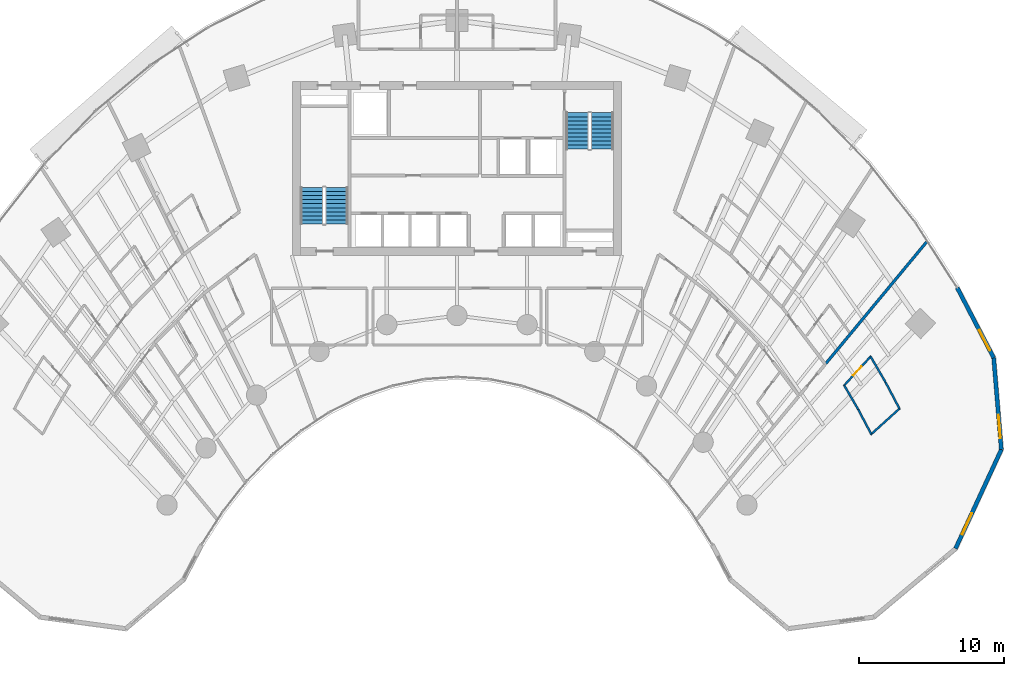
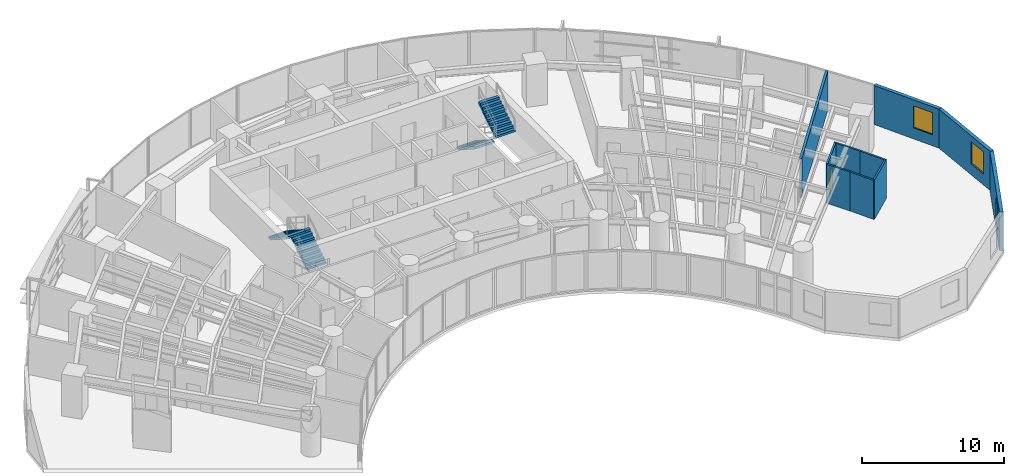
# One storey, part 15 of 18: 10 walls, 4 stair flights, 3 windows, 1 door, 4 openings, 2 elements without a shape of their own.
"""IFC4 building model written with IfcOpenShell, lengths in metres."""

from ifc_helpers import new_model, si_unit, direction, frame, frame_2d, origin, place, context, subcontext, project, spatial, polyline, rectangle, outline, extrude, source, transform, mapped, material, layer, layer_set, type_object, type_shapes, element, fill, aggregate, save


model = new_model("IFC4")

# Units and contexts
model_context = context("Model", 3, precision=1e-05, world=origin(), true_north=direction((0.0, 1.0)))
body_context = subcontext(model_context, "Body", "Model", "MODEL_VIEW")
ifc_project = project(units=[si_unit("LENGTHUNIT", "METRE"), si_unit("AREAUNIT", "SQUARE_METRE"), si_unit("VOLUMEUNIT", "CUBIC_METRE"), si_unit("PLANEANGLEUNIT", "RADIAN"), si_unit("MASSUNIT", "GRAM", prefix="KILO")], contexts=[model_context])

# Site, building, storey
site_placement = place(None, origin())
site = spatial("IfcSite", under=ifc_project, at=site_placement, CompositionType="ELEMENT")
building_placement = place(site_placement, origin())
building = spatial("IfcBuilding", under=site, at=building_placement, Name="Breltana Convention Tower", CompositionType="ELEMENT")
storey_placement = place(building_placement, frame((0.0, 0.0, 35.39990234375)))
storey = spatial("IfcBuildingStorey", under=building, at=storey_placement, Name="L06", CompositionType="ELEMENT", Elevation=35.39990234375)

# Wall, opening, window
ifc_material_1 = material(Name="Limestone Buff Insulated Wall", Category="masonry")
ifc_layer_1 = layer(ifc_material_1, 0.280029296875, Name="Limestone Buff Insulated Wall")
ifc_layer_set_1 = layer_set([ifc_layer_1], Name="Limestone Buff Insulated Wall")
wall_type_1 = type_object("IfcWallType", Name="WL-EXT-NOSE-280", PredefinedType="SOLIDWALL", material=ifc_layer_set_1)
shared_shape_1 = source(origin(), body_context, "Body", "SweptSolid", [
    extrude(rectangle(XDim=6.3525390625, YDim=0.280029296875, at=frame_2d((3.17626953125, 0.0))), origin(), (0.0, 0.0, 1.0), 3.360107421875),
])
wall_1_placement = place(storey_placement, frame((85.052978515625, 53.1220703125, 0.0), z_axis=(0.0, 0.0, 1.0), x_axis=(0.083319001377, -0.996522926986, 0.0)))
wall_1 = element("IfcWall", 1, at=wall_1_placement, inside=storey, type_object=wall_type_1, Name="L06 curved limestone nose wall E1", PredefinedType="SOLIDWALL", context=body_context, shape_type="MappedRepresentation", body=[
    mapped(shared_shape_1, transform((0.0, 0.0, 0.0), scale=1.0)),
])
opening_1_placement = place(wall_1_placement, frame((3.96435546875, 0.0, 0.949951171875)))
opening_1 = element("IfcOpeningElement", 2, at=opening_1_placement, cuts=wall_1, Name="Opening W-04", PredefinedType="OPENING", context=body_context, shape_type="SweptSolid", body=[
    extrude(rectangle(XDim=1.60009765625, YDim=1.89990234375, at=frame_2d((0.800048828125, 0.949951171875))), frame((0.0, 0.14990234375, 0.0), z_axis=(0.0, -1.0, 0.0), x_axis=(1.0, 0.0, 0.0)), (0.0, 0.0, 1.0), 0.300048828125),
])
ifc_material_2 = material(Name="Glass Low-E Insulated Window", Category="glass")
window_type = type_object("IfcWindowType", Name="WN-NOSE-1600X1900", PartitioningType="SINGLE_PANEL", PredefinedType="WINDOW", material=ifc_material_2)
shared_shape_2 = source(origin(), body_context, "Body", "SweptSolid", [
    extrude(rectangle(XDim=1.60009765625, YDim=1.89990234375, at=frame_2d((0.800048828125, 0.949951171875))), frame((0.0, 0.030029296875, 0.0), z_axis=(0.0, -1.0, 0.0), x_axis=(1.0, 0.0, 0.0)), (0.0, 0.0, 1.0), 0.06005859375),
])
type_shapes(window_type, [shared_shape_2])
window_1_placement = place(opening_1_placement, origin())
window_1 = element("IfcWindow", 3, at=window_1_placement, inside=storey, type_object=window_type, Name="L06 nose window E1", OverallHeight=1.89990234375, OverallWidth=1.60009765625, PartitioningType="SINGLE_PANEL", PredefinedType="WINDOW", context=body_context, shape_type="MappedRepresentation", body=[
    mapped(shared_shape_2, transform((0.0, 0.0, 0.0), scale=1.0)),
])
fill(opening_1, window_1)

shared_shape_3 = source(origin(), body_context, "Body", "SweptSolid", [
    extrude(rectangle(XDim=7.536376953125, YDim=0.280029296875, at=frame_2d((3.76806640625, 0.0))), origin(), (0.0, 0.0, 1.0), 3.360107421875),
])
wall_2_placement = place(storey_placement, frame((85.582275390625, 46.79150390625, 0.0), z_axis=(0.0, 0.0, 1.0), x_axis=(-0.41964973873, -0.907686122393, 0.0)))
wall_2 = element("IfcWall", 4, at=wall_2_placement, inside=storey, type_object=wall_type_1, Name="L06 curved limestone nose wall E2", PredefinedType="SOLIDWALL", context=body_context, shape_type="MappedRepresentation", body=[
    mapped(shared_shape_3, transform((0.0, 0.0, 0.0), scale=1.0)),
])
opening_2_placement = place(wall_2_placement, frame((4.852294921875, 0.0, 0.949951171875)))
opening_2 = element("IfcOpeningElement", 5, at=opening_2_placement, cuts=wall_2, Name="Opening W-04", PredefinedType="OPENING", context=body_context, shape_type="SweptSolid", body=[
    extrude(rectangle(XDim=1.60009765625, YDim=1.89990234375, at=frame_2d((0.800048828125, 0.949951171875))), frame((0.0, 0.14990234375, 0.0), z_axis=(0.0, -1.0, 0.0), x_axis=(1.0, 0.0, 0.0)), (0.0, 0.0, 1.0), 0.300048828125),
])
window_2_placement = place(opening_2_placement, origin())
window_2 = element("IfcWindow", 6, at=window_2_placement, inside=storey, type_object=window_type, Name="L06 nose window E2", OverallHeight=1.89990234375, OverallWidth=1.60009765625, PartitioningType="SINGLE_PANEL", PredefinedType="WINDOW", context=body_context, shape_type="MappedRepresentation", body=[
    mapped(shared_shape_2, transform((0.0, 0.0, 0.0), scale=1.0)),
])
fill(opening_2, window_2)

shared_shape_4 = source(origin(), body_context, "Body", "SweptSolid", [
    extrude(rectangle(XDim=5.45947265625, YDim=0.280029296875, at=frame_2d((2.729736328125, 0.0))), origin(), (0.0, 0.0, 1.0), 3.360107421875),
])
wall_3_placement = place(storey_placement, frame((82.531982421875, 57.964599609375, 0.0), z_axis=(0.0, 0.0, 1.0), x_axis=(0.461768054321, -0.887000712518, 0.0)))
wall_3 = element("IfcWall", 7, at=wall_3_placement, inside=storey, type_object=wall_type_1, Name="L06 curved limestone nose wall E7", PredefinedType="SOLIDWALL", context=body_context, shape_type="MappedRepresentation", body=[
    mapped(shared_shape_4, transform((0.0, 0.0, 0.0), scale=1.0)),
])
opening_3_placement = place(wall_3_placement, frame((3.294677734375, 0.0, 0.949951171875)))
opening_3 = element("IfcOpeningElement", 8, at=opening_3_placement, cuts=wall_3, Name="Opening W-04", PredefinedType="OPENING", context=body_context, shape_type="SweptSolid", body=[
    extrude(rectangle(XDim=1.60009765625, YDim=1.89990234375, at=frame_2d((0.800048828125, 0.949951171875))), frame((0.0, 0.14990234375, 0.0), z_axis=(0.0, -1.0, 0.0), x_axis=(1.0, 0.0, 0.0)), (0.0, 0.0, 1.0), 0.300048828125),
])
window_3_placement = place(opening_3_placement, origin())
window_3 = element("IfcWindow", 9, at=window_3_placement, inside=storey, type_object=window_type, Name="L06 nose window E7", OverallHeight=1.89990234375, OverallWidth=1.60009765625, PartitioningType="SINGLE_PANEL", PredefinedType="WINDOW", context=body_context, shape_type="MappedRepresentation", body=[
    mapped(shared_shape_2, transform((0.0, 0.0, 0.0), scale=1.0)),
])
fill(opening_3, window_3)

# Wall
ifc_material_3 = material(Name="Gypsum Acoustic Hotel Wall")
ifc_layer_2 = layer(ifc_material_3, 0.195068359375, Name="Gypsum Acoustic Hotel Wall")
ifc_layer_set_2 = layer_set([ifc_layer_2], Name="Gypsum Acoustic Hotel Wall")
wall_type_2 = type_object("IfcWallType", Name="WL-HOTEL-200", PredefinedType="PARTITIONING", material=ifc_layer_set_2)
shared_shape_5 = source(origin(), body_context, "Body", "SweptSolid", [
    extrude(rectangle(XDim=10.974609375, YDim=0.195068359375, at=frame_2d((5.4873046875, 0.0))), origin(), (0.0, 0.0, 1.0), 3.360107421875),
])
wall_4_placement = place(storey_placement, frame((73.460205078125, 52.71875, 0.0), z_axis=(0.0, 0.0, 1.0), x_axis=(0.638125265812, 0.769932558821, 0.0)))
element("IfcWall", 10, at=wall_4_placement, inside=storey, type_object=wall_type_2, Name="L06 interior partition W-L06-HK11-RB", PredefinedType="PARTITIONING", context=body_context, shape_type="MappedRepresentation", body=[
    mapped(shared_shape_5, transform((0.0, 0.0, 0.0), scale=1.0)),
])

# Wall, opening, door
ifc_material_4 = material(Name="Moisture-Resistant En-Suite Partition")
ifc_layer_3 = layer(ifc_material_4, 0.139892578125, Name="Moisture-Resistant En-Suite Partition")
ifc_layer_set_3 = layer_set([ifc_layer_3], Name="Moisture-Resistant En-Suite Partition")
wall_type_3 = type_object("IfcWallType", Name="WL-WET-150", PredefinedType="PARTITIONING", material=ifc_layer_set_3)
shared_shape_6 = source(origin(), body_context, "Body", "SweptSolid", [
    extrude(rectangle(XDim=2.812255859375, YDim=0.139892578125, at=frame_2d((1.40625, 0.0))), origin(), (0.0, 0.0, 1.0), 3.360107421875),
])
wall_5_placement = place(storey_placement, frame((74.69677734375, 51.176513671875, 0.0), z_axis=(0.0, 0.0, 1.0), x_axis=(0.675119025852, 0.737708818527, 0.0)))
wall_5 = element("IfcWall", 11, at=wall_5_placement, inside=storey, type_object=wall_type_3, Name="L06 interior partition W-L06-CSENS-E-W", PredefinedType="PARTITIONING", context=body_context, shape_type="MappedRepresentation", body=[
    mapped(shared_shape_6, transform((0.0, 0.0, 0.0), scale=1.0)),
])
opening_4_placement = place(wall_5_placement, frame((0.981201171875, 0.0, 0.0)))
opening_4 = element("IfcOpeningElement", 12, at=opening_4_placement, cuts=wall_5, Name="Opening D-21", PredefinedType="OPENING", context=body_context, shape_type="SweptSolid", body=[
    extrude(rectangle(XDim=0.85009765625, YDim=2.050048828125, at=frame_2d((0.425048828125, 1.02490234375))), frame((0.0, 0.080078125, 0.0), z_axis=(0.0, -1.0, 0.0), x_axis=(1.0, 0.0, 0.0)), (0.0, 0.0, 1.0), 0.159912109375),
])
ifc_material_5 = material(Name="Timber Moisture-Resistant En-Suite Door", Category="wood")
door_type = type_object("IfcDoorType", Name="DR-WET-850", OperationType="NOTDEFINED", PredefinedType="DOOR", material=ifc_material_5)
shared_shape_7 = source(origin(), body_context, "Body", "SweptSolid", [
    extrude(rectangle(XDim=0.85009765625, YDim=2.050048828125, at=frame_2d((0.425048828125, 1.02490234375))), frame((0.0, 0.02490234375, 0.0), z_axis=(0.0, -1.0, 0.0), x_axis=(1.0, 0.0, 0.0)), (0.0, 0.0, 1.0), 0.050048828125),
])
type_shapes(door_type, [shared_shape_7])
door_placement = place(opening_4_placement, origin())
door = element("IfcDoor", 13, at=door_placement, inside=storey, type_object=door_type, Name="L06 interior door D-L06-CSENS-E", OperationType="SINGLE_SWING_RIGHT", OverallHeight=2.050048828125, OverallWidth=0.85009765625, PredefinedType="DOOR", context=body_context, shape_type="MappedRepresentation", body=[
    mapped(shared_shape_7, transform((0.0, 0.0, 0.0), scale=1.0)),
])
fill(opening_4, door)

# Walls
shared_shape_8 = source(origin(), body_context, "Body", "SweptSolid", [
    extrude(rectangle(XDim=2.738037109375, YDim=0.139892578125, at=frame_2d((1.369140625, 0.0))), origin(), (0.0, 0.0, 1.0), 3.360107421875),
])
wall_6_placement = place(storey_placement, frame((76.560302734375, 47.81396484375, 0.0), z_axis=(0.0, 0.0, 1.0), x_axis=(0.741873676582, 0.670539669218, 0.0)))
element("IfcWall", 14, at=wall_6_placement, inside=storey, type_object=wall_type_3, Name="L06 interior partition W-L06-CSENS-E-F", PredefinedType="PARTITIONING", context=body_context, shape_type="MappedRepresentation", body=[
    mapped(shared_shape_8, transform((0.0, 0.0, 0.0), scale=1.0)),
])
shared_shape_9 = source(origin(), body_context, "Body", "SweptSolid", [
    extrude(rectangle(XDim=1.936279296875, YDim=0.139892578125, at=frame_2d((0.96826171875, 0.0))), origin(), (0.0, 0.0, 1.0), 3.360107421875),
])
wall_7_placement = place(storey_placement, frame((75.697265625, 49.5634765625, 0.0), z_axis=(0.0, 0.0, 1.0), x_axis=(0.467174971862, -0.884164886017, 0.0)))
element("IfcWall", 15, at=wall_7_placement, inside=storey, type_object=wall_type_3, Name="L06 interior partition W-L06-CSENS-E-B1B", PredefinedType="PARTITIONING", context=body_context, shape_type="MappedRepresentation", body=[
    mapped(shared_shape_9, transform((0.0, 0.0, 0.0), scale=1.0)),
])
shared_shape_10 = source(origin(), body_context, "Body", "SweptSolid", [
    extrude(rectangle(XDim=2.068115234375, YDim=0.139892578125, at=frame_2d((1.0341796875, 0.0))), origin(), (0.0, 0.0, 1.0), 3.360107421875),
])
wall_8_placement = place(storey_placement, frame((77.583740234375, 51.44091796875, 0.0), z_axis=(0.0, 0.0, 1.0), x_axis=(0.467215057643, -0.884143704333, 0.0)))
element("IfcWall", 16, at=wall_8_placement, inside=storey, type_object=wall_type_3, Name="L06 interior partition W-L06-CSENS-E-B2B", PredefinedType="PARTITIONING", context=body_context, shape_type="MappedRepresentation", body=[
    mapped(shared_shape_10, transform((0.0, 0.0, 0.0), scale=1.0)),
])
shared_shape_11 = source(origin(), body_context, "Body", "SweptSolid", [
    extrude(rectangle(XDim=1.914306640625, YDim=0.139892578125, at=frame_2d((0.95703125, 0.0))), origin(), (0.0, 0.0, 1.0), 3.360107421875),
])
wall_9_placement = place(storey_placement, frame((74.735595703125, 51.21875, 0.0), z_axis=(0.0, 0.0, 1.0), x_axis=(0.502347790612, -0.864665656347, 0.0)))
element("IfcWall", 17, at=wall_9_placement, inside=storey, type_object=wall_type_3, Name="L06 interior partition W-L06-CSENS-E-B1A", PredefinedType="PARTITIONING", context=body_context, shape_type="MappedRepresentation", body=[
    mapped(shared_shape_11, transform((0.0, 0.0, 0.0), scale=1.0)),
])
shared_shape_12 = source(origin(), body_context, "Body", "SweptSolid", [
    extrude(rectangle(XDim=2.044677734375, YDim=0.139892578125, at=frame_2d((1.0224609375, 0.0))), origin(), (0.0, 0.0, 1.0), 3.360107421875),
])
wall_10_placement = place(storey_placement, frame((76.556640625, 53.208984375, 0.0), z_axis=(0.0, 0.0, 1.0), x_axis=(0.5023112139, -0.864686905411, 0.0)))
element("IfcWall", 18, at=wall_10_placement, inside=storey, type_object=wall_type_3, Name="L06 interior partition W-L06-CSENS-E-B2A", PredefinedType="PARTITIONING", context=body_context, shape_type="MappedRepresentation", body=[
    mapped(shared_shape_12, transform((0.0, 0.0, 0.0), scale=1.0)),
])

# Stair, stair flights
ifc_material_6 = material(Name="Concrete C40/50", Category="concrete")
stair_type = type_object("IfcStairType", Name="ST-DOG-1560-R180", PredefinedType="HALF_TURN_STAIR", material=ifc_material_6)
stair_1_placement = place(storey_placement, origin())
stair_1 = element("IfcStair", 19, at=stair_1_placement, inside=storey, type_object=stair_type, Name="L06 Protected Core Exit Stair ST-1", PredefinedType="HALF_TURN_STAIR")
stair_flight_type = type_object("IfcStairFlightType", Name="STF-DOG-1560-N10-R180", PredefinedType="STRAIGHT", material=ifc_material_6)
stair_flight_1_placement = place(storey_placement, frame((39.68994140625, 62.360107421875, 0.0), z_axis=(0.0, 0.0, 1.0), x_axis=(0.0, 1.0, 0.0)))
stair_flight_1 = element("IfcStairFlight", 20, at=stair_flight_1_placement, type_object=stair_flight_type, Name="ST-1 flight 1", NumberOfRisers=10, NumberOfTreads=9, PredefinedType="STRAIGHT", RiserHeight=0.18, TreadLength=0.28, context=body_context, shape_type="SweptSolid", body=[
    extrude(outline(polyline([(0.0, 0.0), (0.0, 0.179931640625), (0.280029296875, 0.179931640625), (0.280029296875, 0.360107421875), (0.56005859375, 0.360107421875), (0.56005859375, 0.5400390625), (0.840087890625, 0.5400390625), (0.840087890625, 0.719970703125), (1.1201171875, 0.719970703125), (1.1201171875, 0.89990234375), (1.39990234375, 0.89990234375), (1.39990234375, 1.080078125), (1.679931640625, 1.080078125), (1.679931640625, 1.260009765625), (1.9599609375, 1.260009765625), (1.9599609375, 1.43994140625), (2.239990234375, 1.43994140625), (2.239990234375, 1.6201171875), (2.52001953125, 1.6201171875), (2.52001953125, 1.800048828125), (2.52001953125, 1.44189453125), (0.277099609375, 0.0), (0.0, 0.0)])), frame((0.0, 0.780029296875, 0.0), z_axis=(0.0, -1.0, 0.0), x_axis=(1.0, 0.0, 0.0)), (0.0, 0.0, 1.0), 1.56005859375),
])
stair_flight_2_placement = place(storey_placement, frame((37.97998046875, 64.8798828125, 1.800048828125), z_axis=(0.0, 0.0, 1.0), x_axis=(0.0, -1.0, 0.0)))
stair_flight_2 = element("IfcStairFlight", 21, at=stair_flight_2_placement, type_object=stair_flight_type, Name="ST-1 flight 2", NumberOfRisers=10, NumberOfTreads=9, PredefinedType="STRAIGHT", RiserHeight=0.18, TreadLength=0.28, context=body_context, shape_type="SweptSolid", body=[
    extrude(outline(polyline([(0.0, 0.0), (0.0, 0.179931640625), (0.280029296875, 0.179931640625), (0.280029296875, 0.360107421875), (0.56005859375, 0.360107421875), (0.56005859375, 0.5400390625), (0.840087890625, 0.5400390625), (0.840087890625, 0.719970703125), (1.1201171875, 0.719970703125), (1.1201171875, 0.89990234375), (1.39990234375, 0.89990234375), (1.39990234375, 1.080078125), (1.679931640625, 1.080078125), (1.679931640625, 1.260009765625), (1.9599609375, 1.260009765625), (1.9599609375, 1.43994140625), (2.239990234375, 1.43994140625), (2.239990234375, 1.6201171875), (2.52001953125, 1.6201171875), (2.52001953125, 1.800048828125), (2.52001953125, 1.44189453125), (0.277099609375, 0.0), (0.0, 0.0)])), frame((0.0, 0.780029296875, 0.0), z_axis=(0.0, -1.0, 0.0), x_axis=(1.0, 0.0, 0.0)), (0.0, 0.0, 1.0), 1.56005859375),
])
aggregate(stair_1, [stair_flight_1, stair_flight_2])

stair_2_placement = place(storey_placement, origin())
stair_2 = element("IfcStair", 22, at=stair_2_placement, inside=storey, type_object=stair_type, Name="L06 Protected Core Exit Stair ST-2", PredefinedType="HALF_TURN_STAIR")
stair_flight_3_placement = place(storey_placement, frame((56.31005859375, 70.0400390625, 0.0), z_axis=(0.0, 0.0, 1.0), x_axis=(0.0, -1.0, 0.0)))
stair_flight_3 = element("IfcStairFlight", 23, at=stair_flight_3_placement, type_object=stair_flight_type, Name="ST-2 flight 1", NumberOfRisers=10, NumberOfTreads=9, PredefinedType="STRAIGHT", RiserHeight=0.18, TreadLength=0.28, context=body_context, shape_type="SweptSolid", body=[
    extrude(outline(polyline([(0.0, 0.0), (0.0, 0.179931640625), (0.280029296875, 0.179931640625), (0.280029296875, 0.360107421875), (0.56005859375, 0.360107421875), (0.56005859375, 0.5400390625), (0.840087890625, 0.5400390625), (0.840087890625, 0.719970703125), (1.1201171875, 0.719970703125), (1.1201171875, 0.89990234375), (1.39990234375, 0.89990234375), (1.39990234375, 1.080078125), (1.679931640625, 1.080078125), (1.679931640625, 1.260009765625), (1.9599609375, 1.260009765625), (1.9599609375, 1.43994140625), (2.239990234375, 1.43994140625), (2.239990234375, 1.6201171875), (2.52001953125, 1.6201171875), (2.52001953125, 1.800048828125), (2.52001953125, 1.44189453125), (0.277099609375, 0.0), (0.0, 0.0)])), frame((0.0, 0.780029296875, 0.0), z_axis=(0.0, -1.0, 0.0), x_axis=(1.0, 0.0, 0.0)), (0.0, 0.0, 1.0), 1.56005859375),
])
stair_flight_4_placement = place(storey_placement, frame((58.02001953125, 67.52001953125, 1.800048828125), z_axis=(0.0, 0.0, 1.0), x_axis=(0.0, 1.0, 0.0)))
stair_flight_4 = element("IfcStairFlight", 24, at=stair_flight_4_placement, type_object=stair_flight_type, Name="ST-2 flight 2", NumberOfRisers=10, NumberOfTreads=9, PredefinedType="STRAIGHT", RiserHeight=0.18, TreadLength=0.28, context=body_context, shape_type="SweptSolid", body=[
    extrude(outline(polyline([(0.0, 0.0), (0.0, 0.179931640625), (0.280029296875, 0.179931640625), (0.280029296875, 0.360107421875), (0.56005859375, 0.360107421875), (0.56005859375, 0.5400390625), (0.840087890625, 0.5400390625), (0.840087890625, 0.719970703125), (1.1201171875, 0.719970703125), (1.1201171875, 0.89990234375), (1.39990234375, 0.89990234375), (1.39990234375, 1.080078125), (1.679931640625, 1.080078125), (1.679931640625, 1.260009765625), (1.9599609375, 1.260009765625), (1.9599609375, 1.43994140625), (2.239990234375, 1.43994140625), (2.239990234375, 1.6201171875), (2.52001953125, 1.6201171875), (2.52001953125, 1.800048828125), (2.52001953125, 1.44189453125), (0.277099609375, 0.0), (0.0, 0.0)])), frame((0.0, 0.780029296875, 0.0), z_axis=(0.0, -1.0, 0.0), x_axis=(1.0, 0.0, 0.0)), (0.0, 0.0, 1.0), 1.56005859375),
])
aggregate(stair_2, [stair_flight_3, stair_flight_4])

save(model, "model.ifc")
